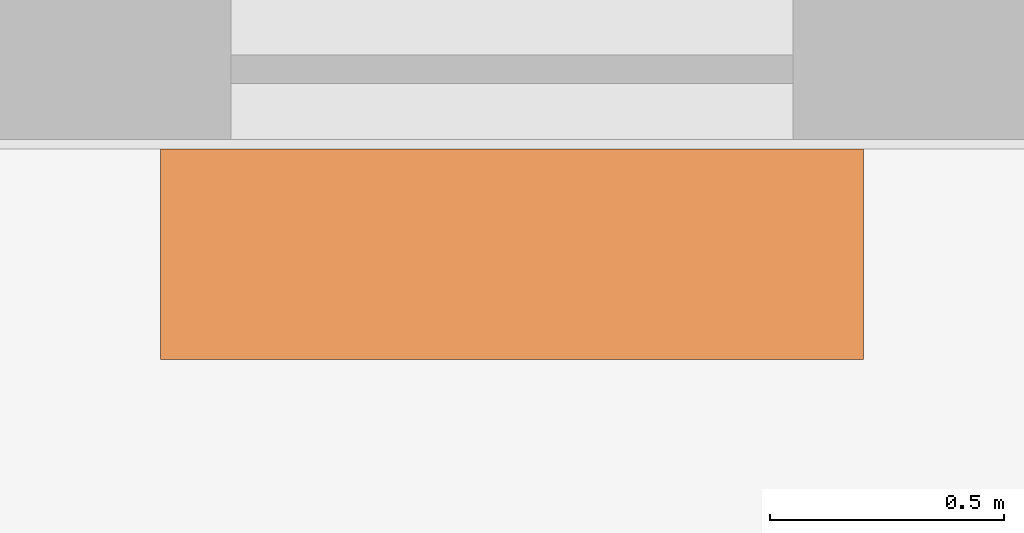
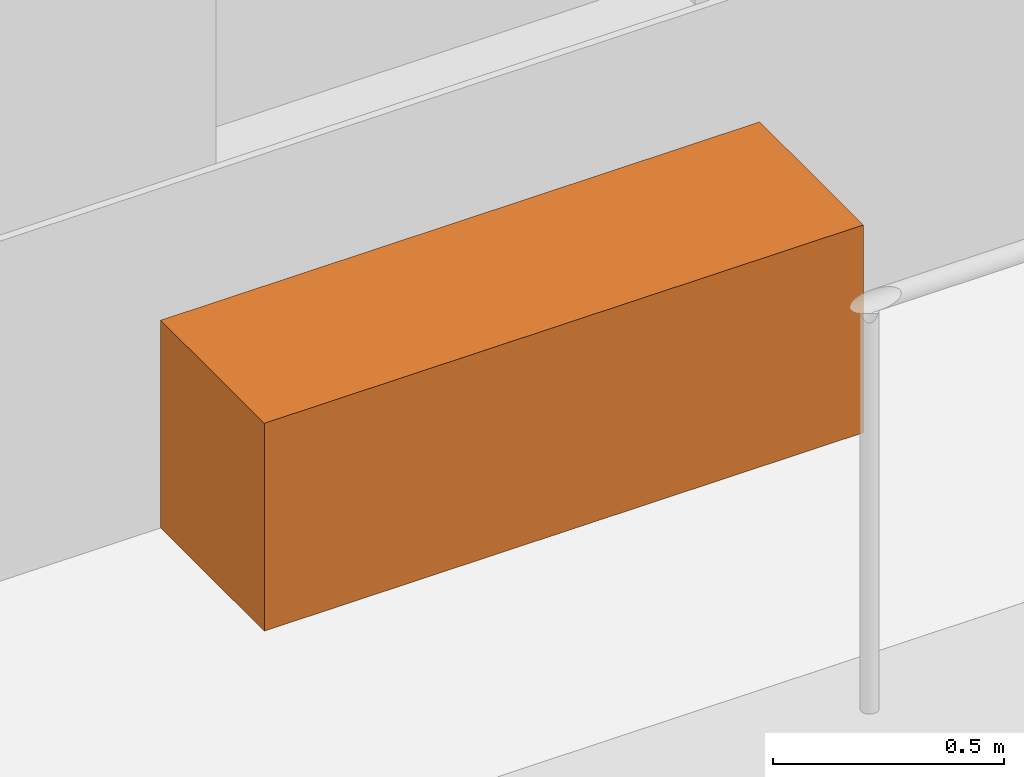
# One storey, part 12 of 12: 1 proxy.
"""IFC4 building model written with IfcOpenShell, lengths in metres."""

import ifcopenshell
import ifcopenshell.guid

model = None  # the IFC model being written
_history = None  # IfcOwnerHistory: only IFC2X3 demands one
_inside = {}  # id of a spatial element -> (the spatial element, [elements in it])
_under = {}  # id of a project, library or spatial element -> (it, [spatial elements below it])
_declared = {}  # id of a project -> (the project, [libraries it declares])
_typed = {}  # id of a type object -> (the type object, [elements of that type])
_made_of = {}  # id of a material, layer set ... -> (it, [elements and type objects made of it])


def new_model(schema):
    """Start an empty IFC model of exactly this schema.

    Asked for "IFC4X3", IfcOpenShell would pick the latest addendum, in which some entities
    have other attributes; the version numbers below select the first issue.
    IFC2X3 requires an IfcOwnerHistory on every rooted entity: one is made here for all.
    """
    global model, _history
    if schema == "IFC4X3":
        model = ifcopenshell.file(schema_version=(4, 3, 0, 0))
    else:
        model = ifcopenshell.file(schema=schema)
    _inside.clear()
    _under.clear()
    _declared.clear()
    _typed.clear()
    _made_of.clear()
    _history = None
    if model.schema == "IFC2X3":
        org = make("IfcOrganization", Name="unknown")
        user = make(
            "IfcPersonAndOrganization",
            ThePerson=make("IfcPerson", FamilyName="unknown"),
            TheOrganization=org,
        )
        app = make(
            "IfcApplication",
            ApplicationDeveloper=org,
            Version="unknown",
            ApplicationFullName="unknown",
            ApplicationIdentifier="unknown",
        )
        _history = make(
            "IfcOwnerHistory",
            OwningUser=user,
            OwningApplication=app,
            ChangeAction="ADDED",
            CreationDate=0,
        )
    return model


def make(cls, **values):
    """One entity of the class cls with the attributes given. An attribute that is None is left unset."""
    return model.create_entity(
        cls, **{name: value for name, value in values.items() if value is not None}
    )


def rooted(cls, **values):
    """An entity with a GlobalId (a new one), such as an element, a storey or a relation."""
    return make(cls, GlobalId=ifcopenshell.guid.new(), OwnerHistory=_history, **values)


def si_unit(unit_type, name, prefix=None):
    """IfcSIUnit, for example si_unit("LENGTHUNIT", "METRE", prefix="MILLI")."""
    return make("IfcSIUnit", UnitType=unit_type, Prefix=prefix, Name=name)


def assignment(units):
    """IfcUnitAssignment: the units of a project."""
    return None if units is None else make("IfcUnitAssignment", Units=units)


def point(xyz):
    """IfcCartesianPoint."""
    return None if xyz is None else make("IfcCartesianPoint", Coordinates=xyz)


def direction(xyz):
    """IfcDirection."""
    return None if xyz is None else make("IfcDirection", DirectionRatios=xyz)


def frame(location, z_axis=None, x_axis=None):
    """IfcAxis2Placement3D, a coordinate frame: its origin and axes. An axis left out is left unset."""
    return make(
        "IfcAxis2Placement3D",
        Location=point(location),
        Axis=direction(z_axis),
        RefDirection=direction(x_axis),
    )


def frame_2d(location, x_axis=None):
    """IfcAxis2Placement2D, a coordinate frame in the plane: its origin and x axis."""
    return make(
        "IfcAxis2Placement2D", Location=point(location), RefDirection=direction(x_axis)
    )


def origin():
    """The frame at (0, 0, 0) with its axes left unset."""
    return frame((0.0, 0.0, 0.0))


def origin_2d():
    """The frame at (0, 0) in the plane with its x axis left unset."""
    return frame_2d((0.0, 0.0))


def place(relative_to, where):
    """IfcLocalPlacement: puts the frame where relative to a parent placement (None: the world)."""
    return make(
        "IfcLocalPlacement", PlacementRelTo=relative_to, RelativePlacement=where
    )


def context(
    kind, dimensions, precision=None, world=None, true_north=None, identifier=None
):
    """IfcGeometricRepresentationContext, for example the 3D "Model" context."""
    return make(
        "IfcGeometricRepresentationContext",
        ContextIdentifier=identifier,
        ContextType=kind,
        CoordinateSpaceDimension=dimensions,
        Precision=precision,
        WorldCoordinateSystem=world,
        TrueNorth=true_north,
    )


def subcontext(parent, identifier, kind, view, scale=None):
    """IfcGeometricRepresentationSubContext, for example "Body" below "Model"."""
    return make(
        "IfcGeometricRepresentationSubContext",
        ContextIdentifier=identifier,
        ContextType=kind,
        ParentContext=parent,
        TargetScale=scale,
        TargetView=view,
    )


def project(units=None, contexts=None):
    """IfcProject with its units and contexts."""
    return rooted(
        "IfcProject",
        Name="project",
        RepresentationContexts=contexts,
        UnitsInContext=assignment(units),
    )


def spatial(cls, under=None, at=None, **own):
    """A site, building, storey or space (cls), placed at a placement, below another one or the project."""
    s = rooted(cls, ObjectPlacement=at, **own)
    if under is not None:
        _under.setdefault(under.id(), (under, []))[1].append(s)
    return s


def profile(cls, at=None, kind="AREA", **sizes):
    """A parametric profile (cls). Its sizes go by their IFC names, for example OverallWidth=200.0."""
    return make(cls, ProfileType=kind, Position=at, **sizes)


def rectangle(**sizes):
    """IfcRectangleProfileDef."""
    return profile("IfcRectangleProfileDef", **sizes)


def extrude(swept, where, along, depth):
    """IfcExtrudedAreaSolid: the profile swept, set in the frame where, extruded along a direction by depth."""
    return make(
        "IfcExtrudedAreaSolid",
        SweptArea=swept,
        Position=where,
        ExtrudedDirection=direction(along),
        Depth=depth,
    )


def shape(context_of_items, identifier, shape_type, items):
    """IfcShapeRepresentation: the items that make up one representation, for example the "Body"."""
    return make(
        "IfcShapeRepresentation",
        ContextOfItems=context_of_items,
        RepresentationIdentifier=identifier,
        RepresentationType=shape_type,
        Items=items,
    )


def made_of(thing, what):
    """Note that an element or type object is made of a material, layer set ...; save() writes the relation."""
    if what is not None:
        _made_of.setdefault(what.id(), (what, []))[1].append(thing)
    return thing


def element(
    cls,
    number,
    at=None,
    inside=None,
    cuts=None,
    type_object=None,
    material=None,
    context=None,
    identifier="Body",
    shape_type=None,
    held_by="IfcProductDefinitionShape",
    body=None,
    shapes=None,
    **own,
):
    """One element of the class cls, such as IfcWall. Its Tag is "e" and its number.

    at: its placement. inside: the storey or other place that contains it. cuts: it is an
    opening in that element (IfcRelVoidsElement). A single representation is given by context,
    identifier, shape_type and body (its items); several are given by shapes. held_by: the class
    of the entity that holds the representations. save() writes the other relations.
    """
    e = rooted(cls, Tag="e%d" % number, ObjectPlacement=at, **own)
    if body is not None:
        shapes = [shape(context, identifier, shape_type, body)]
    if shapes is not None:
        e.Representation = make(held_by, Representations=shapes)
    if inside is not None:
        _inside.setdefault(inside.id(), (inside, []))[1].append(e)
    if cuts is not None:
        rooted(
            "IfcRelVoidsElement", RelatingBuildingElement=cuts, RelatedOpeningElement=e
        )
    if type_object is not None:
        _typed.setdefault(type_object.id(), (type_object, []))[1].append(e)
    return made_of(e, material)


def aggregate(whole, parts):
    """IfcRelAggregates: a whole, such as a stair, and the parts it consists of."""
    return rooted("IfcRelAggregates", RelatingObject=whole, RelatedObjects=parts)


def save(model, path):
    """Write the relations noted so far, then the file.

    IfcRelAggregates (storeys below a building ...), IfcRelContainedInSpatialStructure (elements
    in a storey), IfcRelDefinesByType, IfcRelAssociatesMaterial and IfcRelDeclares: one each for
    every whole, place, type object, material and project.
    """
    for whole, parts in _under.values():
        aggregate(whole, parts)
    for where, things in _inside.values():
        rooted(
            "IfcRelContainedInSpatialStructure",
            RelatedElements=things,
            RelatingStructure=where,
        )
    for kind, things in _typed.values():
        rooted("IfcRelDefinesByType", RelatedObjects=things, RelatingType=kind)
    for what, things in _made_of.values():
        rooted("IfcRelAssociatesMaterial", RelatedObjects=things, RelatingMaterial=what)
    for by, libraries in _declared.values():
        rooted("IfcRelDeclares", RelatingContext=by, RelatedDefinitions=libraries)
    model.write(path)


model = new_model("IFC4")

# Units and contexts
model_context = context("Model", 3, precision=1e-05, world=origin(), true_north=direction((0.0, 1.0)))
body_context = subcontext(model_context, "Body", "Model", "MODEL_VIEW")
ifc_project = project(units=[si_unit("LENGTHUNIT", "METRE"), si_unit("AREAUNIT", "SQUARE_METRE"), si_unit("VOLUMEUNIT", "CUBIC_METRE"), si_unit("PLANEANGLEUNIT", "RADIAN"), si_unit("MASSUNIT", "GRAM", prefix="KILO")], contexts=[model_context])

# Site, building, storey
site_placement = place(None, origin())
site = spatial("IfcSite", under=ifc_project, at=site_placement, CompositionType="ELEMENT")
building_placement = place(site_placement, origin())
building = spatial("IfcBuilding", under=site, at=building_placement, Name="Candeia Pilgrim Tower and Theatre", CompositionType="ELEMENT")
storey_placement = place(building_placement, frame((0.0, 0.0, 217.0)))
storey = spatial("IfcBuildingStorey", under=building, at=storey_placement, Name="L52", CompositionType="ELEMENT", Elevation=217.0)

# Proxy
proxy_placement = place(storey_placement, frame((102.89990234375, 99.2548828125, 0.0), z_axis=(0.0, 0.0, 1.0), x_axis=(1.0, 0.0, 0.0)))
element("IfcBuildingElementProxy", 1, at=proxy_placement, inside=storey, Name="Planter", ObjectType="PLANTER", PredefinedType="USERDEFINED", context=body_context, shape_type="SweptSolid", body=[
    extrude(rectangle(XDim=1.5, YDim=0.449951171875, at=origin_2d()), origin(), (0.0, 0.0, 1.0), 0.550048828125),
])

save(model, "model.ifc")
